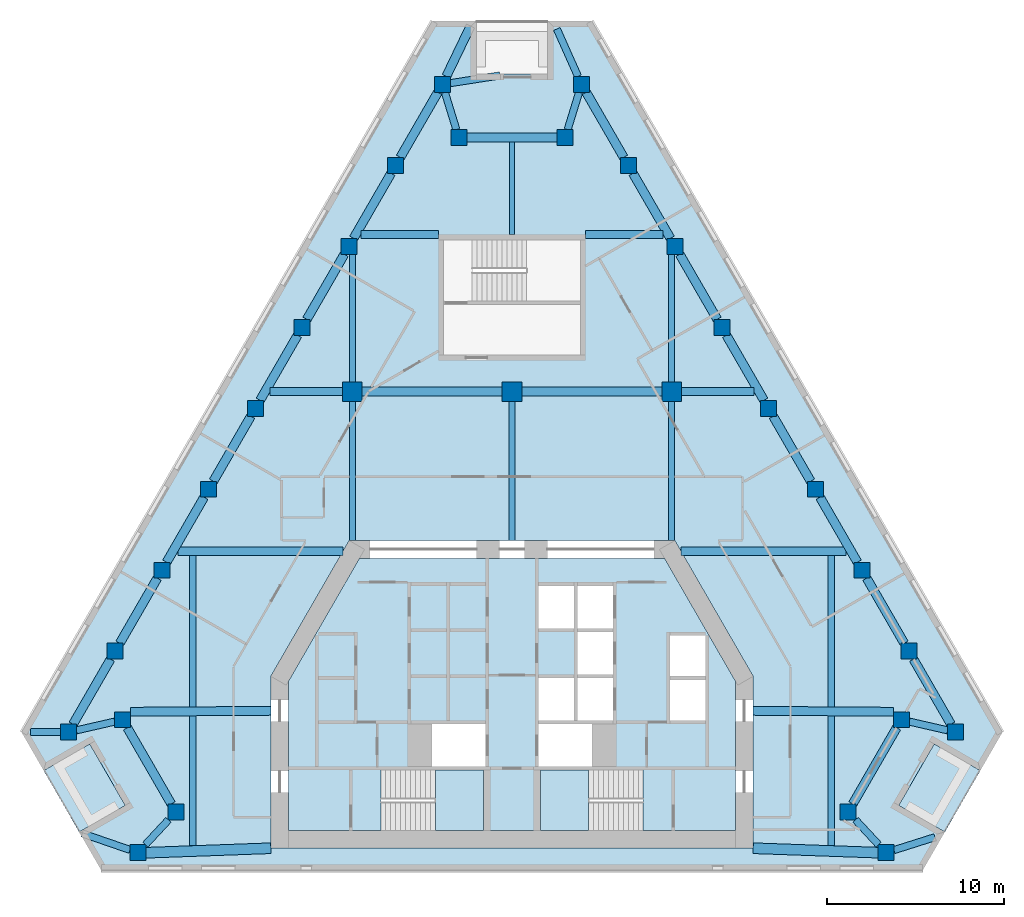
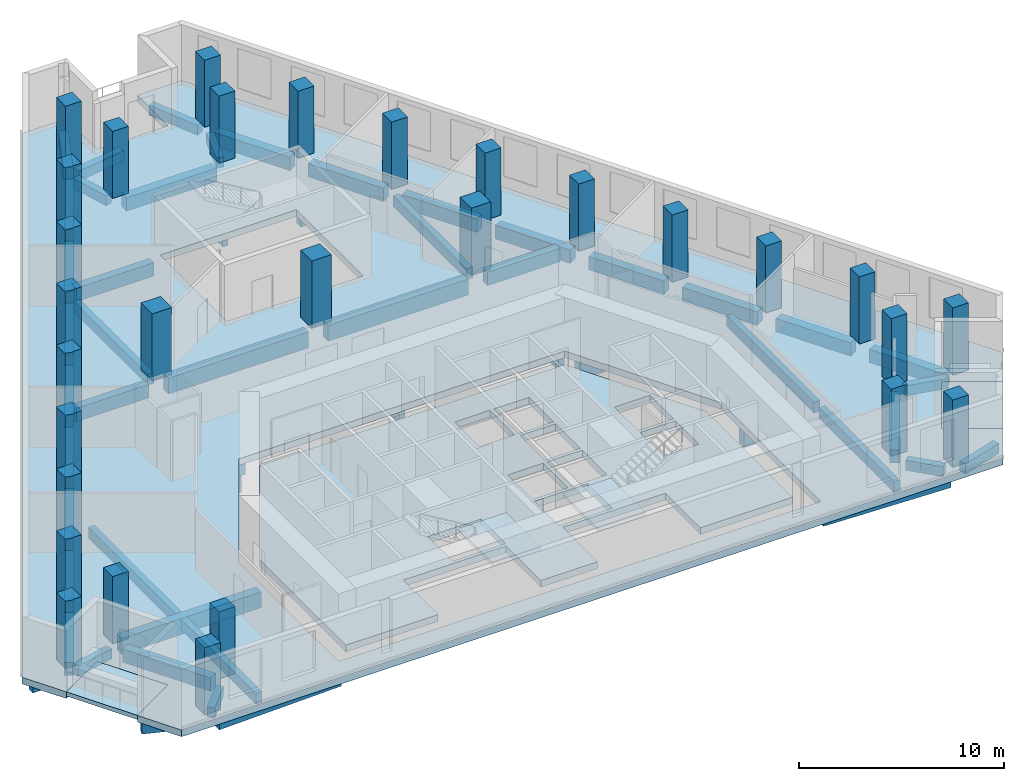
# One storey, part 1 of 9: 53 beams, 29 columns, 6 slabs, 2 elements without a shape of their own.
"""IFC4 building model written with IfcOpenShell, lengths in metres."""

from ifc_helpers import new_model, si_unit, direction, frame, origin, origin_2d, place, context, subcontext, project, spatial, polyline, rectangle, outline, extrude, material, layer, layer_set, material_profile, profile_set, type_object, element, aggregate, save


model = new_model("IFC4")

# Units and contexts
model_context = context("Model", 3, precision=1e-05, world=origin(), true_north=direction((0.0, 1.0)))
body_context = subcontext(model_context, "Body", "Model", "MODEL_VIEW")
ifc_project = project(units=[si_unit("LENGTHUNIT", "METRE"), si_unit("AREAUNIT", "SQUARE_METRE"), si_unit("VOLUMEUNIT", "CUBIC_METRE"), si_unit("PLANEANGLEUNIT", "RADIAN"), si_unit("MASSUNIT", "GRAM", prefix="KILO")], contexts=[model_context])

# Site, building, storey
site_placement = place(None, origin())
site = spatial("IfcSite", under=ifc_project, at=site_placement, CompositionType="ELEMENT")
building_placement = place(site_placement, origin())
building = spatial("IfcBuilding", under=site, at=building_placement, Name="Fogline Exchange Tower", CompositionType="ELEMENT")
storey_placement = place(building_placement, frame((0.0, 0.0, 194.10009765625)))
storey = spatial("IfcBuildingStorey", under=building, at=storey_placement, Name="L43", CompositionType="ELEMENT", Elevation=194.10009765625)

# Columns
ifc_material_1 = material(Name="Concrete C60", Category="concrete")
ifc_material_profile_1 = material_profile(ifc_material_1, rectangle(XDim=1.10009765625, YDim=1.10009765625, at=origin_2d()), Name="RC 1100x1100")
ifc_profile_set_1 = profile_set([ifc_material_profile_1], Name="Concrete C60")
column_type_1 = type_object("IfcColumnType", Name="C05", PredefinedType="COLUMN", material=ifc_profile_set_1)
for number, where, z_axis, x_axis, name in (
    (1, (-9.0, 27.0, 0.0), (0.0, 0.0, 1.0), (1.0, 0.0, 0.0), "IC--9-27"),
    (2, (0.0, 27.0, 0.0), (0.0, 0.0, 1.0), (1.0, 0.0, 0.0), "IC-0-27"),
    (3, (9.0, 27.0, 0.0), (0.0, 0.0, 1.0), (1.0, 0.0, 0.0), "IC-9-27"),
):
    element("IfcColumn", number, at=place(storey_placement, frame(where, z_axis=z_axis, x_axis=x_axis)), inside=storey, type_object=column_type_1, Name=name, PredefinedType="COLUMN", context=body_context, shape_type="SweptSolid", body=[
        extrude(rectangle(XDim=1.10009765625, YDim=1.10009765625, at=origin_2d()), origin(), (0.0, 0.0, 1.0), 4.0),
    ])
ifc_material_profile_2 = material_profile(ifc_material_1, rectangle(XDim=0.89990234375, YDim=0.89990234375, at=origin_2d()), Name="RC 900x900")
ifc_profile_set_2 = profile_set([ifc_material_profile_2], Name="Concrete C60")
column_type_2 = type_object("IfcColumnType", Name="C06", PredefinedType="COLUMN", material=ifc_profile_set_2)
for number, where, z_axis, x_axis, name in (
    (4, (-25.0146484375, 7.794189453125, 0.0), (0.0, 0.0, 1.0), (1.0, 0.0, 0.0), "SW-a"),
    (5, (-21.955322265625, 8.4951171875, 0.0), (0.0, 0.0, 1.0), (1.0, 0.0, 0.0), "SW-p4"),
    (6, (-18.955322265625, 3.299072265625, 0.0), (0.0, 0.0, 1.0), (1.0, 0.0, 0.0), "SW-p3"),
    (7, (-21.092041015625, 1.0, 0.0), (0.0, 0.0, 1.0), (1.0, 0.0, 0.0), "SW-b"),
    (8, (21.092041015625, 1.0, 0.0), (0.0, 0.0, 1.0), (1.0, 0.0, 0.0), "SE-a"),
    (9, (18.955322265625, 3.299072265625, 0.0), (0.0, 0.0, 1.0), (1.0, 0.0, 0.0), "SE-p4"),
    (10, (21.955322265625, 8.4951171875, 0.0), (0.0, 0.0, 1.0), (1.0, 0.0, 0.0), "SE-p3"),
    (11, (25.0146484375, 7.794189453125, 0.0), (0.0, 0.0, 1.0), (1.0, 0.0, 0.0), "SE-b"),
    (12, (22.378173828125, 12.36083984375, 0.0), (0.0, 0.0, 1.0), (1.0, 0.0, 0.0), "E1"),
    (13, (19.74169921875, 16.92724609375, 0.0), (0.0, 0.0, 1.0), (1.0, 0.0, 0.0), "E2"),
    (14, (17.105224609375, 21.493896484375, 0.0), (0.0, 0.0, 1.0), (1.0, 0.0, 0.0), "E3"),
    (15, (14.46875, 26.060302734375, 0.0), (0.0, 0.0, 1.0), (1.0, 0.0, 0.0), "E4"),
    (16, (11.832275390625, 30.626953125, 0.0), (0.0, 0.0, 1.0), (1.0, 0.0, 0.0), "E5"),
    (17, (9.19580078125, 35.193603515625, 0.0), (0.0, 0.0, 1.0), (1.0, 0.0, 0.0), "E6"),
    (18, (6.55908203125, 39.760009765625, 0.0), (0.0, 0.0, 1.0), (1.0, 0.0, 0.0), "E7"),
    (19, (3.922607421875, 44.32666015625, 0.0), (0.0, 0.0, 1.0), (1.0, 0.0, 0.0), "N-a"),
    (20, (3.0, 41.32666015625, 0.0), (0.0, 0.0, 1.0), (1.0, 0.0, 0.0), "N-p4"),
    (21, (-3.0, 41.32666015625, 0.0), (0.0, 0.0, 1.0), (1.0, 0.0, 0.0), "N-p3"),
    (22, (-3.922607421875, 44.32666015625, 0.0), (0.0, 0.0, 1.0), (1.0, 0.0, 0.0), "N-b"),
    (23, (-6.55908203125, 39.760009765625, 0.0), (0.0, 0.0, 1.0), (1.0, 0.0, 0.0), "W1"),
    (24, (-9.19580078125, 35.193603515625, 0.0), (0.0, 0.0, 1.0), (1.0, 0.0, 0.0), "W2"),
    (25, (-11.832275390625, 30.626953125, 0.0), (0.0, 0.0, 1.0), (1.0, 0.0, 0.0), "W3"),
    (26, (-14.46875, 26.060302734375, 0.0), (0.0, 0.0, 1.0), (1.0, 0.0, 0.0), "W4"),
    (27, (-17.105224609375, 21.493896484375, 0.0), (0.0, 0.0, 1.0), (1.0, 0.0, 0.0), "W5"),
    (28, (-19.74169921875, 16.92724609375, 0.0), (0.0, 0.0, 1.0), (1.0, 0.0, 0.0), "W6"),
    (29, (-22.378173828125, 12.36083984375, 0.0), (0.0, 0.0, 1.0), (1.0, 0.0, 0.0), "W7"),
):
    element("IfcColumn", number, at=place(storey_placement, frame(where, z_axis=z_axis, x_axis=x_axis)), inside=storey, type_object=column_type_2, Name=name, PredefinedType="COLUMN", context=body_context, shape_type="SweptSolid", body=[
        extrude(rectangle(XDim=0.89990234375, YDim=0.89990234375, at=origin_2d()), origin(), (0.0, 0.0, 1.0), 4.0),
    ])

# Beams
ifc_material_2 = material(Name="Concrete C40", Category="concrete")
ifc_material_profile_3 = material_profile(ifc_material_2, rectangle(XDim=0.300048828125, YDim=0.60009765625, at=origin_2d()), Name="RC 300x600")
ifc_profile_set_3 = profile_set([ifc_material_profile_3], Name="Concrete C40")
beam_type_1 = type_object("IfcBeamType", Name="B06", PredefinedType="BEAM", material=ifc_profile_set_3)
beam_1_placement = place(storey_placement, frame((0.0, 35.85693359375, -0.7001953125), z_axis=(0.0, 1.0, 0.0), x_axis=(-1.0, 0.0, 0.0)))
element("IfcBeam", 30, at=beam_1_placement, inside=storey, type_object=beam_type_1, Name="SB006", PredefinedType="BEAM", context=body_context, shape_type="SweptSolid", body=[
    extrude(rectangle(XDim=0.300048828125, YDim=0.60009765625, at=origin_2d()), origin(), (0.0, 0.0, 1.0), 5.2197265625),
])
ifc_material_profile_4 = material_profile(ifc_material_2, rectangle(XDim=0.60009765625, YDim=0.89990234375, at=origin_2d()), Name="RC 600x900")
ifc_profile_set_4 = profile_set([ifc_material_profile_4], Name="Concrete C40")
beam_type_2 = type_object("IfcBeamType", Name="B09", PredefinedType="BEAM", material=ifc_profile_set_4)
beam_2_placement = place(storey_placement, frame((-20.64208984375, 0.99462890625, -0.85009765625), z_axis=(0.999343107492, 0.036240219472, 0.0), x_axis=(-0.036240219472, 0.999343107492, 0.0)))
element("IfcBeam", 31, at=beam_2_placement, inside=storey, type_object=beam_type_2, Name="RB004", PredefinedType="BEAM", context=body_context, shape_type="SweptSolid", body=[
    extrude(rectangle(XDim=0.60009765625, YDim=0.89990234375, at=origin_2d()), origin(), (0.0, 0.0, 1.0), 7.046630859375),
])
beam_3_placement = place(storey_placement, frame((13.60009765625, 1.25, -0.85009765625), z_axis=(0.99937042328, -0.035478966629, 0.0), x_axis=(0.035478966629, 0.99937042328, 0.0)))
element("IfcBeam", 32, at=beam_3_placement, inside=storey, type_object=beam_type_2, Name="RB005", PredefinedType="BEAM", context=body_context, shape_type="SweptSolid", body=[
    extrude(rectangle(XDim=0.60009765625, YDim=0.89990234375, at=origin_2d()), origin(), (0.0, 0.0, 1.0), 7.04638671875),
])
ifc_material_profile_5 = material_profile(ifc_material_2, rectangle(XDim=0.5, YDim=0.800048828125, at=origin_2d()), Name="RC 500x800")
ifc_profile_set_5 = profile_set([ifc_material_profile_5], Name="Concrete C40")
beam_type_3 = type_object("IfcBeamType", Name="B10", PredefinedType="BEAM", material=ifc_profile_set_5)
for number, where, z_axis, x_axis, name in (
    (33, (-21.6953125, 8.045166015625, -0.800048828125), (0.499976646485, -0.866038886523, 0.0), (0.866038886523, 0.499976646485, 0.0), "RB002"),
    (34, (19.215087890625, 3.7490234375, -0.800048828125), (0.499976646485, 0.866038886523, 0.0), (-0.866038886523, 0.499976646485, 0.0), "RB007"),
):
    element("IfcBeam", number, at=place(storey_placement, frame(where, z_axis=z_axis, x_axis=x_axis)), inside=storey, type_object=beam_type_3, Name=name, PredefinedType="BEAM", context=body_context, shape_type="SweptSolid", body=[
        extrude(rectangle(XDim=0.5, YDim=0.800048828125, at=origin_2d()), origin(), (0.0, 0.0, 1.0), 4.960693359375),
    ])
beam_4_placement = place(storey_placement, frame((24.7548828125, 8.244140625, -0.800048828125), z_axis=(-0.499990325971, 0.866030989016, 0.0), x_axis=(-0.866030989016, -0.499990325971, 0.0)))
element("IfcBeam", 35, at=beam_4_placement, inside=storey, type_object=beam_type_3, Name="RB009", PredefinedType="BEAM", context=body_context, shape_type="SweptSolid", body=[
    extrude(rectangle(XDim=0.5, YDim=0.800048828125, at=origin_2d()), origin(), (0.0, 0.0, 1.0), 4.23388671875),
])
beam_5_placement = place(storey_placement, frame((22.118408203125, 12.810791015625, -0.800048828125), z_axis=(-0.500015295222, 0.866016572904, 0.0), x_axis=(-0.866016572904, -0.500015295222, 0.0)))
element("IfcBeam", 36, at=beam_5_placement, inside=storey, type_object=beam_type_3, Name="RB010", PredefinedType="BEAM", context=body_context, shape_type="SweptSolid", body=[
    extrude(rectangle(XDim=0.5, YDim=0.800048828125, at=origin_2d()), origin(), (0.0, 0.0, 1.0), 4.233642578125),
])
beam_6_placement = place(storey_placement, frame((19.481689453125, 17.377197265625, -0.800048828125), z_axis=(-0.499947076772, 0.866055956868, 0.0), x_axis=(-0.866055956868, -0.499947076772, 0.0)))
element("IfcBeam", 37, at=beam_6_placement, inside=storey, type_object=beam_type_3, Name="RB011", PredefinedType="BEAM", context=body_context, shape_type="SweptSolid", body=[
    extrude(rectangle(XDim=0.5, YDim=0.800048828125, at=origin_2d()), origin(), (0.0, 0.0, 1.0), 4.23388671875),
])
for number, where, z_axis, x_axis, name in (
    (38, (16.84521484375, 21.94384765625, -0.800048828125), (-0.499972045304, 0.866041542834, 0.0), (-0.866041542834, -0.499972045304, 0.0), "RB012"),
    (39, (14.208740234375, 26.510498046875, -0.800048828125), (-0.499972045304, 0.866041542834, 0.0), (-0.866041542834, -0.499972045304, 0.0), "RB013"),
    (40, (11.572265625, 31.076904296875, -0.800048828125), (-0.499972045304, 0.866041542834, 0.0), (-0.866041542834, -0.499972045304, 0.0), "RB014"),
    (41, (8.935791015625, 35.6435546875, -0.800048828125), (-0.499972045304, 0.866041542834, 0.0), (-0.866041542834, -0.499972045304, 0.0), "RB015"),
    (42, (6.29931640625, 40.210205078125, -0.800048828125), (-0.499972045304, 0.866041542834, 0.0), (-0.866041542834, -0.499972045304, 0.0), "RB016"),
):
    element("IfcBeam", number, at=place(storey_placement, frame(where, z_axis=z_axis, x_axis=x_axis)), inside=storey, type_object=beam_type_3, Name=name, PredefinedType="BEAM", context=body_context, shape_type="SweptSolid", body=[
        extrude(rectangle(XDim=0.5, YDim=0.800048828125, at=origin_2d()), origin(), (0.0, 0.0, 1.0), 4.233642578125),
    ])
beam_7_placement = place(storey_placement, frame((2.550048828125, 41.32666015625, -0.800048828125), z_axis=(-1.0, 0.0, 0.0), x_axis=(0.0, -1.0, 0.0)))
element("IfcBeam", 43, at=beam_7_placement, inside=storey, type_object=beam_type_3, Name="RB018", PredefinedType="BEAM", context=body_context, shape_type="SweptSolid", body=[
    extrude(rectangle(XDim=0.5, YDim=0.800048828125, at=origin_2d()), origin(), (0.0, 0.0, 1.0), 5.10009765625),
])
for number, where, z_axis, x_axis, name in (
    (44, (-4.1826171875, 43.876708984375, -0.800048828125), (-0.499972045304, -0.866041542834, 0.0), (0.866041542834, -0.499972045304, 0.0), "RB020"),
    (45, (-6.819091796875, 39.31005859375, -0.800048828125), (-0.499972045304, -0.866041542834, 0.0), (0.866041542834, -0.499972045304, 0.0), "RB021"),
    (46, (-9.45556640625, 34.743408203125, -0.800048828125), (-0.499972045304, -0.866041542834, 0.0), (0.866041542834, -0.499972045304, 0.0), "RB022"),
    (47, (-12.092041015625, 30.177001953125, -0.800048828125), (-0.499972045304, -0.866041542834, 0.0), (0.866041542834, -0.499972045304, 0.0), "RB023"),
    (48, (-14.728515625, 25.6103515625, -0.800048828125), (-0.499972045304, -0.866041542834, 0.0), (0.866041542834, -0.499972045304, 0.0), "RB024"),
):
    element("IfcBeam", number, at=place(storey_placement, frame(where, z_axis=z_axis, x_axis=x_axis)), inside=storey, type_object=beam_type_3, Name=name, PredefinedType="BEAM", context=body_context, shape_type="SweptSolid", body=[
        extrude(rectangle(XDim=0.5, YDim=0.800048828125, at=origin_2d()), origin(), (0.0, 0.0, 1.0), 4.233642578125),
    ])
beam_8_placement = place(storey_placement, frame((-17.364990234375, 21.0439453125, -0.800048828125), z_axis=(-0.499947076772, -0.866055956868, 0.0), x_axis=(0.866055956868, -0.499947076772, 0.0)))
element("IfcBeam", 49, at=beam_8_placement, inside=storey, type_object=beam_type_3, Name="RB025", PredefinedType="BEAM", context=body_context, shape_type="SweptSolid", body=[
    extrude(rectangle(XDim=0.5, YDim=0.800048828125, at=origin_2d()), origin(), (0.0, 0.0, 1.0), 4.23388671875),
])
beam_9_placement = place(storey_placement, frame((-20.00146484375, 16.477294921875, -0.800048828125), z_axis=(-0.500015295222, -0.866016572904, 0.0), x_axis=(0.866016572904, -0.500015295222, 0.0)))
element("IfcBeam", 50, at=beam_9_placement, inside=storey, type_object=beam_type_3, Name="RB026", PredefinedType="BEAM", context=body_context, shape_type="SweptSolid", body=[
    extrude(rectangle(XDim=0.5, YDim=0.800048828125, at=origin_2d()), origin(), (0.0, 0.0, 1.0), 4.233642578125),
])
beam_10_placement = place(storey_placement, frame((-22.637939453125, 11.910888671875, -0.800048828125), z_axis=(-0.499990325971, -0.866030989016, 0.0), x_axis=(0.866030989016, -0.499990325971, 0.0)))
element("IfcBeam", 51, at=beam_10_placement, inside=storey, type_object=beam_type_3, Name="RB027", PredefinedType="BEAM", context=body_context, shape_type="SweptSolid", body=[
    extrude(rectangle(XDim=0.5, YDim=0.800048828125, at=origin_2d()), origin(), (0.0, 0.0, 1.0), 4.23388671875),
])
beam_11_placement = place(storey_placement, frame((-3.705810546875, 44.776611328125, -0.800048828125), z_axis=(0.433976557903, 0.900924162841, 0.0), x_axis=(-0.900924162841, 0.433976557903, 0.0)))
element("IfcBeam", 52, at=beam_11_placement, inside=storey, type_object=beam_type_3, Name="SP028", PredefinedType="BEAM", context=body_context, shape_type="SweptSolid", body=[
    extrude(rectangle(XDim=0.5, YDim=0.800048828125, at=origin_2d()), origin(), (0.0, 0.0, 1.0), 3.14697265625),
])
ifc_material_profile_6 = material_profile(ifc_material_2, rectangle(XDim=0.39990234375, YDim=0.60009765625, at=origin_2d()), Name="RC 400x600")
ifc_profile_set_6 = profile_set([ifc_material_profile_6], Name="Concrete C40")
beam_type_4 = type_object("IfcBeamType", Name="B11", PredefinedType="BEAM", material=ifc_profile_set_6)
beam_12_placement = place(storey_placement, frame((-24.564697265625, 7.897216796875, -0.7001953125), z_axis=(0.974731818643, 0.223378337636, 0.0), x_axis=(-0.223378337636, 0.974731818643, 0.0)))
element("IfcBeam", 53, at=beam_12_placement, inside=storey, type_object=beam_type_4, Name="RB001", PredefinedType="BEAM", context=body_context, shape_type="SweptSolid", body=[
    extrude(rectangle(XDim=0.39990234375, YDim=0.60009765625, at=origin_2d()), origin(), (0.0, 0.0, 1.0), 2.21533203125),
])
for number, where, z_axis, x_axis, name in (
    (54, (-19.37353515625, 2.84912109375, -0.7001953125), (-0.68075009804, -0.732515736362, 0.0), (0.732515736362, -0.68075009804, 0.0), "RB003"),
    (55, (20.673828125, 1.449951171875, -0.7001953125), (-0.68075009804, 0.732515736362, 0.0), (-0.732515736362, -0.68075009804, 0.0), "RB006"),
):
    element("IfcBeam", number, at=place(storey_placement, frame(where, z_axis=z_axis, x_axis=x_axis)), inside=storey, type_object=beam_type_4, Name=name, PredefinedType="BEAM", context=body_context, shape_type="SweptSolid", body=[
        extrude(rectangle(XDim=0.39990234375, YDim=0.60009765625, at=origin_2d()), origin(), (0.0, 0.0, 1.0), 1.91015625),
    ])
beam_13_placement = place(storey_placement, frame((22.4052734375, 8.39208984375, -0.7001953125), z_axis=(0.974731818643, -0.223378337636, 0.0), x_axis=(0.223378337636, 0.974731818643, 0.0)))
element("IfcBeam", 56, at=beam_13_placement, inside=storey, type_object=beam_type_4, Name="RB008", PredefinedType="BEAM", context=body_context, shape_type="SweptSolid", body=[
    extrude(rectangle(XDim=0.39990234375, YDim=0.60009765625, at=origin_2d()), origin(), (0.0, 0.0, 1.0), 2.21533203125),
])
for number, where, z_axis, x_axis, name in (
    (57, (3.7841796875, 43.876708984375, -0.7001953125), (-0.293906253456, -0.95583425037, 0.0), (0.95583425037, -0.293906253456, 0.0), "RB017"),
    (58, (-3.138427734375, 41.776611328125, -0.7001953125), (-0.293906253456, 0.95583425037, 0.0), (-0.95583425037, -0.293906253456, 0.0), "RB019"),
):
    element("IfcBeam", number, at=place(storey_placement, frame(where, z_axis=z_axis, x_axis=x_axis)), inside=storey, type_object=beam_type_4, Name=name, PredefinedType="BEAM", context=body_context, shape_type="SweptSolid", body=[
        extrude(rectangle(XDim=0.39990234375, YDim=0.60009765625, at=origin_2d()), origin(), (0.0, 0.0, 1.0), 2.197021484375),
    ])
beam_14_placement = place(storey_placement, frame((3.72216796875, 44.776611328125, -0.7001953125), z_axis=(-0.406858193397, 0.913491330263, 0.0), x_axis=(-0.913491330263, -0.406858193397, 0.0)))
element("IfcBeam", 59, at=beam_14_placement, inside=storey, type_object=beam_type_4, Name="SP029", PredefinedType="BEAM", context=body_context, shape_type="SweptSolid", body=[
    extrude(rectangle(XDim=0.39990234375, YDim=0.60009765625, at=origin_2d()), origin(), (0.0, 0.0, 1.0), 2.926513671875),
])
beam_15_placement = place(storey_placement, frame((-21.5419921875, 1.1552734375, -0.7001953125), z_axis=(-0.945399347961, 0.325914210913, 0.0), x_axis=(-0.325914210913, -0.945399347961, 0.0)))
element("IfcBeam", 60, at=beam_15_placement, inside=storey, type_object=beam_type_4, Name="SP030", PredefinedType="BEAM", context=body_context, shape_type="SweptSolid", body=[
    extrude(rectangle(XDim=0.39990234375, YDim=0.60009765625, at=origin_2d()), origin(), (0.0, 0.0, 1.0), 2.853271484375),
])
beam_16_placement = place(storey_placement, frame((21.5419921875, 1.142578125, -0.7001953125), z_axis=(0.953254707246, 0.302167938593, 0.0), x_axis=(-0.302167938593, 0.953254707246, 0.0)))
element("IfcBeam", 61, at=beam_16_placement, inside=storey, type_object=beam_type_4, Name="SP031", PredefinedType="BEAM", context=body_context, shape_type="SweptSolid", body=[
    extrude(rectangle(XDim=0.39990234375, YDim=0.60009765625, at=origin_2d()), origin(), (0.0, 0.0, 1.0), 2.423095703125),
])
beam_17_placement = place(storey_placement, frame((-3.47265625, 44.396484375, -0.7001953125), z_axis=(0.988163069181, 0.153407133817, 0.0), x_axis=(-0.153407133817, 0.988163069181, 0.0)))
element("IfcBeam", 62, at=beam_17_placement, inside=storey, type_object=beam_type_4, Name="SP032", PredefinedType="BEAM", context=body_context, shape_type="SweptSolid", body=[
    extrude(rectangle(XDim=0.39990234375, YDim=0.60009765625, at=origin_2d()), origin(), (0.0, 0.0, 1.0), 2.826416015625),
])
beam_18_placement = place(storey_placement, frame((-25.464599609375, 7.794189453125, -0.7001953125), z_axis=(-1.0, 0.0, 0.0), x_axis=(0.0, -1.0, 0.0)))
element("IfcBeam", 63, at=beam_18_placement, inside=storey, type_object=beam_type_4, Name="SP033", PredefinedType="BEAM", context=body_context, shape_type="SweptSolid", body=[
    extrude(rectangle(XDim=0.39990234375, YDim=0.60009765625, at=origin_2d()), origin(), (0.0, 0.0, 1.0), 1.6943359375),
])
ifc_material_profile_7 = material_profile(ifc_material_2, rectangle(XDim=0.5, YDim=0.949951171875, at=origin_2d()), Name="RC 500x950")
ifc_profile_set_7 = profile_set([ifc_material_profile_7], Name="Concrete C40")
beam_type_5 = type_object("IfcBeamType", Name="B14", PredefinedType="BEAM", material=ifc_profile_set_7)
for number, where, z_axis, x_axis, name in (
    (64, (-21.50537109375, 8.9453125, -0.875), (0.999976072531, 0.006917684998, 0.0), (-0.006917684998, 0.999976072531, 0.0), "GB001"),
    (65, (13.60009765625, 9.0, -0.875), (0.999976072531, -0.006917684998, 0.0), (0.006917684998, 0.999976072531, 0.0), "GB002"),
):
    element("IfcBeam", number, at=place(storey_placement, frame(where, z_axis=z_axis, x_axis=x_axis)), inside=storey, type_object=beam_type_5, Name=name, PredefinedType="BEAM", context=body_context, shape_type="SweptSolid", body=[
        extrude(rectangle(XDim=0.5, YDim=0.949951171875, at=origin_2d()), origin(), (0.0, 0.0, 1.0), 7.905517578125),
    ])
for number, where, z_axis, x_axis, name in (
    (66, (-18.833740234375, 18.0, -0.875), (1.0, 0.0, 0.0), (0.0, 1.0, 0.0), "GB003"),
    (67, (9.527099609375, 18.0, -0.875), (1.0, 0.0, 0.0), (0.0, 1.0, 0.0), "GB004"),
):
    element("IfcBeam", number, at=place(storey_placement, frame(where, z_axis=z_axis, x_axis=x_axis)), inside=storey, type_object=beam_type_5, Name=name, PredefinedType="BEAM", context=body_context, shape_type="SweptSolid", body=[
        extrude(rectangle(XDim=0.5, YDim=0.949951171875, at=origin_2d()), origin(), (0.0, 0.0, 1.0), 9.306640625),
    ])
for number, where, z_axis, x_axis, name in (
    (68, (-8.449951171875, 27.0, -0.875), (1.0, 0.0, 0.0), (0.0, 1.0, 0.0), "GB006"),
    (69, (0.550048828125, 27.0, -0.875), (1.0, 0.0, 0.0), (0.0, 1.0, 0.0), "GB007"),
):
    element("IfcBeam", number, at=place(storey_placement, frame(where, z_axis=z_axis, x_axis=x_axis)), inside=storey, type_object=beam_type_5, Name=name, PredefinedType="BEAM", context=body_context, shape_type="SweptSolid", body=[
        extrude(rectangle(XDim=0.5, YDim=0.949951171875, at=origin_2d()), origin(), (0.0, 0.0, 1.0), 7.89990234375),
    ])
ifc_material_profile_8 = material_profile(ifc_material_2, rectangle(XDim=0.35009765625, YDim=0.64990234375, at=origin_2d()), Name="RC 350x650")
ifc_profile_set_8 = profile_set([ifc_material_profile_8], Name="Concrete C40")
beam_type_6 = type_object("IfcBeamType", Name="B16", PredefinedType="BEAM", material=ifc_profile_set_8)
beam_19_placement = place(storey_placement, frame((-18.0, 1.390625, -0.72509765625), z_axis=(0.0, 1.0, 0.0), x_axis=(-1.0, 0.0, 0.0)))
element("IfcBeam", 70, at=beam_19_placement, inside=storey, type_object=beam_type_6, Name="SB001", PredefinedType="BEAM", context=body_context, shape_type="SweptSolid", body=[
    extrude(rectangle(XDim=0.35009765625, YDim=0.64990234375, at=origin_2d()), origin(), (0.0, 0.0, 1.0), 7.328857421875),
])
beam_20_placement = place(storey_placement, frame((-18.0, 9.219482421875, -0.72509765625), z_axis=(0.0, 1.0, 0.0), x_axis=(-1.0, 0.0, 0.0)))
element("IfcBeam", 71, at=beam_20_placement, inside=storey, type_object=beam_type_6, Name="SB002", PredefinedType="BEAM", context=body_context, shape_type="SweptSolid", body=[
    extrude(rectangle(XDim=0.35009765625, YDim=0.64990234375, at=origin_2d()), origin(), (0.0, 0.0, 1.0), 8.530517578125),
])
beam_21_placement = place(storey_placement, frame((-9.0, 18.60009765625, -0.72509765625), z_axis=(0.0, 1.0, 0.0), x_axis=(-1.0, 0.0, 0.0)))
element("IfcBeam", 72, at=beam_21_placement, inside=storey, type_object=beam_type_6, Name="SB003", PredefinedType="BEAM", context=body_context, shape_type="SweptSolid", body=[
    extrude(rectangle(XDim=0.35009765625, YDim=0.64990234375, at=origin_2d()), origin(), (0.0, 0.0, 1.0), 7.849853515625),
])
beam_22_placement = place(storey_placement, frame((-9.0, 27.550048828125, -0.72509765625), z_axis=(0.0, 1.0, 0.0), x_axis=(-1.0, 0.0, 0.0)))
element("IfcBeam", 73, at=beam_22_placement, inside=storey, type_object=beam_type_6, Name="SB004", PredefinedType="BEAM", context=body_context, shape_type="SweptSolid", body=[
    extrude(rectangle(XDim=0.35009765625, YDim=0.64990234375, at=origin_2d()), origin(), (0.0, 0.0, 1.0), 7.193359375),
])
for number, where, z_axis, x_axis, name in (
    (74, (0.0, 18.60009765625, -0.72509765625), (0.0, 1.0, 0.0), (-1.0, 0.0, 0.0), "SB005"),
    (75, (9.0, 18.60009765625, -0.72509765625), (0.0, 1.0, 0.0), (-1.0, 0.0, 0.0), "SB007"),
):
    element("IfcBeam", number, at=place(storey_placement, frame(where, z_axis=z_axis, x_axis=x_axis)), inside=storey, type_object=beam_type_6, Name=name, PredefinedType="BEAM", context=body_context, shape_type="SweptSolid", body=[
        extrude(rectangle(XDim=0.35009765625, YDim=0.64990234375, at=origin_2d()), origin(), (0.0, 0.0, 1.0), 7.849853515625),
    ])
beam_23_placement = place(storey_placement, frame((9.0, 27.550048828125, -0.72509765625), z_axis=(0.0, 1.0, 0.0), x_axis=(-1.0, 0.0, 0.0)))
element("IfcBeam", 76, at=beam_23_placement, inside=storey, type_object=beam_type_6, Name="SB008", PredefinedType="BEAM", context=body_context, shape_type="SweptSolid", body=[
    extrude(rectangle(XDim=0.35009765625, YDim=0.64990234375, at=origin_2d()), origin(), (0.0, 0.0, 1.0), 7.193359375),
])
beam_24_placement = place(storey_placement, frame((18.0, 1.39404296875, -0.72509765625), z_axis=(0.0, 1.0, 0.0), x_axis=(-1.0, 0.0, 0.0)))
element("IfcBeam", 77, at=beam_24_placement, inside=storey, type_object=beam_type_6, Name="SB009", PredefinedType="BEAM", context=body_context, shape_type="SweptSolid", body=[
    extrude(rectangle(XDim=0.35009765625, YDim=0.64990234375, at=origin_2d()), origin(), (0.0, 0.0, 1.0), 7.325439453125),
])
beam_25_placement = place(storey_placement, frame((18.0, 9.219482421875, -0.72509765625), z_axis=(0.0, 1.0, 0.0), x_axis=(-1.0, 0.0, 0.0)))
element("IfcBeam", 78, at=beam_25_placement, inside=storey, type_object=beam_type_6, Name="SB010", PredefinedType="BEAM", context=body_context, shape_type="SweptSolid", body=[
    extrude(rectangle(XDim=0.35009765625, YDim=0.64990234375, at=origin_2d()), origin(), (0.0, 0.0, 1.0), 8.530517578125),
])
ifc_material_profile_9 = material_profile(ifc_material_2, rectangle(XDim=0.449951171875, YDim=0.800048828125, at=origin_2d()), Name="RC 450x800")
ifc_profile_set_9 = profile_set([ifc_material_profile_9], Name="Concrete C40")
beam_type_7 = type_object("IfcBeamType", Name="B18", PredefinedType="BEAM", material=ifc_profile_set_9)
for number, where, z_axis, x_axis, name in (
    (79, (-13.637451171875, 27.0, -0.800048828125), (1.0, 0.0, 0.0), (0.0, 1.0, 0.0), "GB005"),
    (80, (9.550048828125, 27.0, -0.800048828125), (1.0, 0.0, 0.0), (0.0, 1.0, 0.0), "GB008"),
):
    element("IfcBeam", number, at=place(storey_placement, frame(where, z_axis=z_axis, x_axis=x_axis)), inside=storey, type_object=beam_type_7, Name=name, PredefinedType="BEAM", context=body_context, shape_type="SweptSolid", body=[
        extrude(rectangle(XDim=0.449951171875, YDim=0.800048828125, at=origin_2d()), origin(), (0.0, 0.0, 1.0), 4.08740234375),
    ])
for number, where, z_axis, x_axis, name in (
    (81, (-8.52392578125, 35.85693359375, -0.800048828125), (1.0, 0.0, 0.0), (0.0, 1.0, 0.0), "GB009"),
    (82, (4.14990234375, 35.85693359375, -0.800048828125), (1.0, 0.0, 0.0), (0.0, 1.0, 0.0), "GB010"),
):
    element("IfcBeam", number, at=place(storey_placement, frame(where, z_axis=z_axis, x_axis=x_axis)), inside=storey, type_object=beam_type_7, Name=name, PredefinedType="BEAM", context=body_context, shape_type="SweptSolid", body=[
        extrude(rectangle(XDim=0.449951171875, YDim=0.800048828125, at=origin_2d()), origin(), (0.0, 0.0, 1.0), 4.3740234375),
    ])

# Slabs
ifc_layer_1 = layer(ifc_material_2, 0.25)
ifc_layer_set_1 = layer_set([ifc_layer_1], Name="DK1")
slab_type_1 = type_object("IfcSlabType", Name="DK1", PredefinedType="FLOOR", material=ifc_layer_set_1)
slab_1_placement = place(storey_placement, frame((0.0, 0.0, -0.25)))
element("IfcSlab", 83, at=slab_1_placement, inside=storey, type_object=slab_type_1, Name="Balcony L43 SW", PredefinedType="FLOOR", context=body_context, shape_type="SweptSolid", body=[
    extrude(outline(polyline([(-26.408935546875, 5.629150390625), (-24.408935546875, 2.1650390625), (-21.810791015625, 3.6650390625), (-23.810791015625, 7.129150390625), (-26.408935546875, 5.629150390625)])), origin(), (0.0, 0.0, 1.0), 0.25),
])
slab_2_placement = place(storey_placement, frame((0.0, 0.0, -0.25)))
element("IfcSlab", 84, at=slab_2_placement, inside=storey, type_object=slab_type_1, Name="Balcony L43 SE", PredefinedType="FLOOR", context=body_context, shape_type="SweptSolid", body=[
    extrude(outline(polyline([(24.408935546875, 2.1650390625), (26.408935546875, 5.629150390625), (23.810791015625, 7.129150390625), (21.810791015625, 3.6650390625), (24.408935546875, 2.1650390625)])), origin(), (0.0, 0.0, 1.0), 0.25),
])
ifc_layer_2 = layer(ifc_material_2, 0.39990234375)
ifc_layer_set_2 = layer_set([ifc_layer_2], Name="S03")
slab_type_2 = type_object("IfcSlabType", Name="S03", PredefinedType="FLOOR", material=ifc_layer_set_2)
slab_3_placement = place(storey_placement, frame((0.0, 0.0, -0.400146484375)))
element("IfcSlab", 85, at=slab_3_placement, inside=storey, type_object=slab_type_2, Name="SLAB L43", PredefinedType="FLOOR", context=body_context, shape_type="SweptSolid", body=[
    extrude(outline(polyline([(-2.0, 47.90673828125), (-4.5, 47.90673828125), (-27.658935546875, 7.794189453125), (-26.408935546875, 5.629150390625), (-23.810791015625, 7.129150390625), (-21.810791015625, 3.6650390625), (-24.408935546875, 2.1650390625), (-23.158935546875, 0.0), (23.158935546875, 0.0), (24.408935546875, 2.1650390625), (21.810791015625, 3.6650390625), (23.810791015625, 7.129150390625), (26.408935546875, 5.629150390625), (27.658935546875, 7.794189453125), (4.5, 47.90673828125), (2.0, 47.90673828125), (2.0, 44.90673828125), (-2.0, 44.90673828125), (-2.0, 47.90673828125)]), holes=[polyline([(13.60009765625, 10.9453125), (13.60009765625, 1.25), (-13.60009765625, 1.25), (-13.60009765625, 10.9453125), (-9.1806640625, 18.60009765625), (9.1806640625, 18.60009765625), (13.60009765625, 10.9453125)]), polyline([(3.85009765625, 35.556884765625), (3.85009765625, 29.056884765625), (-3.85009765625, 29.056884765625), (-3.85009765625, 35.556884765625), (3.85009765625, 35.556884765625)])]), origin(), (0.0, 0.0, 1.0), 0.400146484375),
])
slab_4_placement = place(storey_placement, frame((0.0, 0.0, -0.400146484375)))
element("IfcSlab", 86, at=slab_4_placement, inside=storey, type_object=slab_type_2, Name="Core floor slab", PredefinedType="FLOOR", context=body_context, shape_type="SweptSolid", body=[
    extrude(outline(polyline([(-12.60009765625, 2.25), (-12.60009765625, 10.677490234375), (-8.603271484375, 17.60009765625), (8.603271484375, 17.60009765625), (12.60009765625, 10.677490234375), (12.60009765625, 2.25), (7.389892578125, 2.25), (7.389892578125, 5.64990234375), (1.60009765625, 5.64990234375), (1.60009765625, 2.25), (-1.60009765625, 2.25), (-1.60009765625, 5.64990234375), (-7.389892578125, 5.64990234375), (-7.389892578125, 2.25), (-12.60009765625, 2.25)]), holes=[polyline([(-4.5, 8.25), (-4.5, 5.85009765625), (-1.5, 5.85009765625), (-1.5, 8.25), (-4.5, 8.25)]), polyline([(4.5, 8.25), (1.5, 8.25), (1.5, 5.85009765625), (4.5, 5.85009765625), (4.5, 8.25)]), polyline([(3.5, 10.85009765625), (1.5, 10.85009765625), (1.5, 8.449951171875), (3.5, 8.449951171875), (3.5, 10.85009765625)]), polyline([(1.5, 16.050048828125), (1.5, 13.64990234375), (3.5, 13.64990234375), (3.5, 16.050048828125), (1.5, 16.050048828125)]), polyline([(10.89990234375, 10.75), (8.89990234375, 10.75), (8.89990234375, 8.449951171875), (10.89990234375, 8.449951171875), (10.89990234375, 10.75)]), polyline([(5.699951171875, 10.85009765625), (3.699951171875, 10.85009765625), (3.699951171875, 8.449951171875), (5.699951171875, 8.449951171875), (5.699951171875, 10.85009765625)]), polyline([(8.89990234375, 13.25), (8.89990234375, 10.949951171875), (10.89990234375, 10.949951171875), (10.89990234375, 13.25), (8.89990234375, 13.25)]), polyline([(5.699951171875, 13.449951171875), (3.699951171875, 13.449951171875), (3.699951171875, 11.050048828125), (5.699951171875, 11.050048828125), (5.699951171875, 13.449951171875)]), polyline([(5.699951171875, 16.050048828125), (3.699951171875, 16.050048828125), (3.699951171875, 13.64990234375), (5.699951171875, 13.64990234375), (5.699951171875, 16.050048828125)])]), origin(), (0.0, 0.0, 1.0), 0.400146484375),
])

# Stair, slab
stair_type = type_object("IfcStairType", Name="STR24-1667", PredefinedType="HALF_TURN_STAIR", material=ifc_material_2)
stair_1_placement = place(storey_placement, origin())
stair_1 = element("IfcStair", 87, at=stair_1_placement, inside=storey, type_object=stair_type, Name="Stair ST1", PredefinedType="HALF_TURN_STAIR")
ifc_layer_3 = layer(ifc_material_2, 0.199951171875)
ifc_layer_set_3 = layer_set([ifc_layer_3], Name="SL200")
slab_type_3 = type_object("IfcSlabType", Name="SL200", PredefinedType="LANDING", material=ifc_layer_set_3)
slab_5_placement = place(storey_placement, frame((0.0, 0.0, 1.7998046875)))
slab_5 = element("IfcSlab", 88, at=slab_5_placement, type_object=slab_type_3, Name="ST1 landing 1", PredefinedType="LANDING", context=body_context, shape_type="SweptSolid", body=[
    extrude(outline(polyline([(-4.320068359375, 2.25), (-1.60009765625, 2.25), (-1.60009765625, 5.64990234375), (-4.320068359375, 5.64990234375), (-4.320068359375, 2.25)])), origin(), (0.0, 0.0, 1.0), 0.2001953125),
])
aggregate(stair_1, [slab_5])

stair_2_placement = place(storey_placement, origin())
stair_2 = element("IfcStair", 89, at=stair_2_placement, inside=storey, type_object=stair_type, Name="Stair ST2", PredefinedType="HALF_TURN_STAIR")
slab_6_placement = place(storey_placement, frame((0.0, 0.0, 1.7998046875)))
slab_6 = element("IfcSlab", 90, at=slab_6_placement, type_object=slab_type_3, Name="ST2 landing 1", PredefinedType="LANDING", context=body_context, shape_type="SweptSolid", body=[
    extrude(outline(polyline([(1.60009765625, 2.25), (4.320068359375, 2.25), (4.320068359375, 5.64990234375), (1.60009765625, 5.64990234375), (1.60009765625, 2.25)])), origin(), (0.0, 0.0, 1.0), 0.2001953125),
])
aggregate(stair_2, [slab_6])

save(model, "model.ifc")
